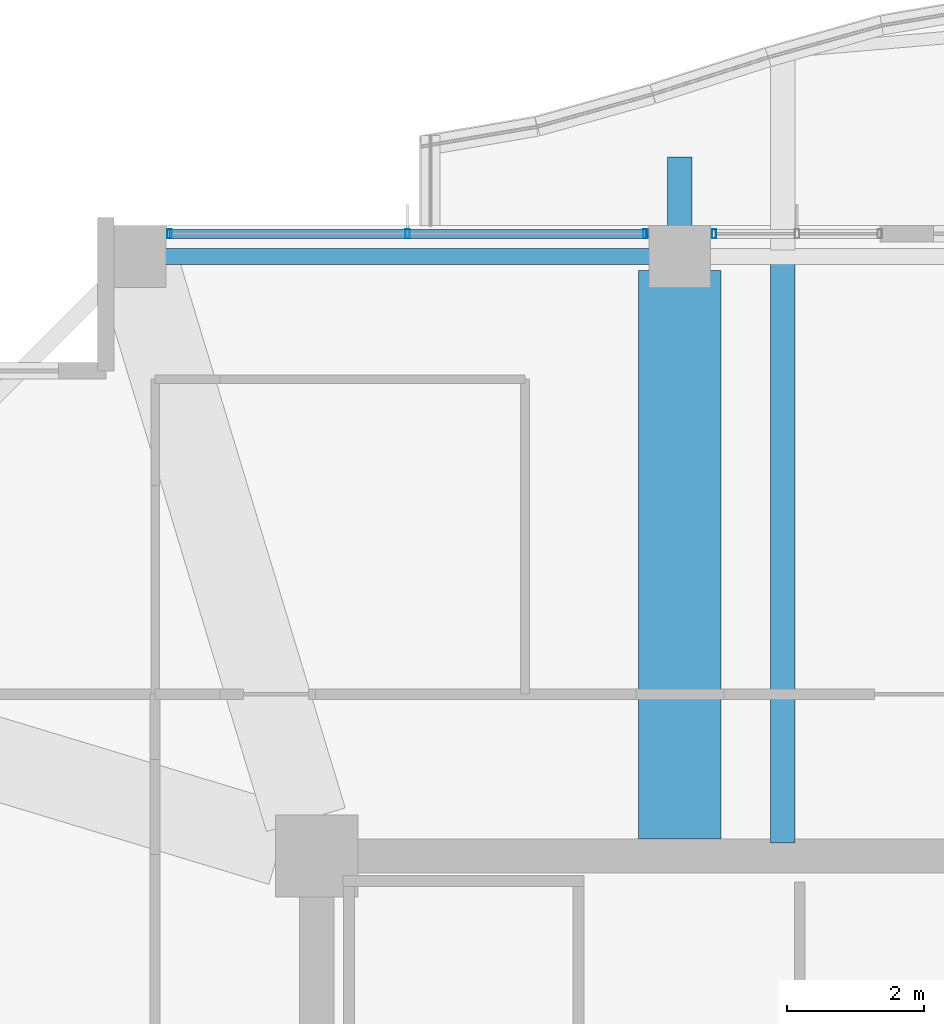
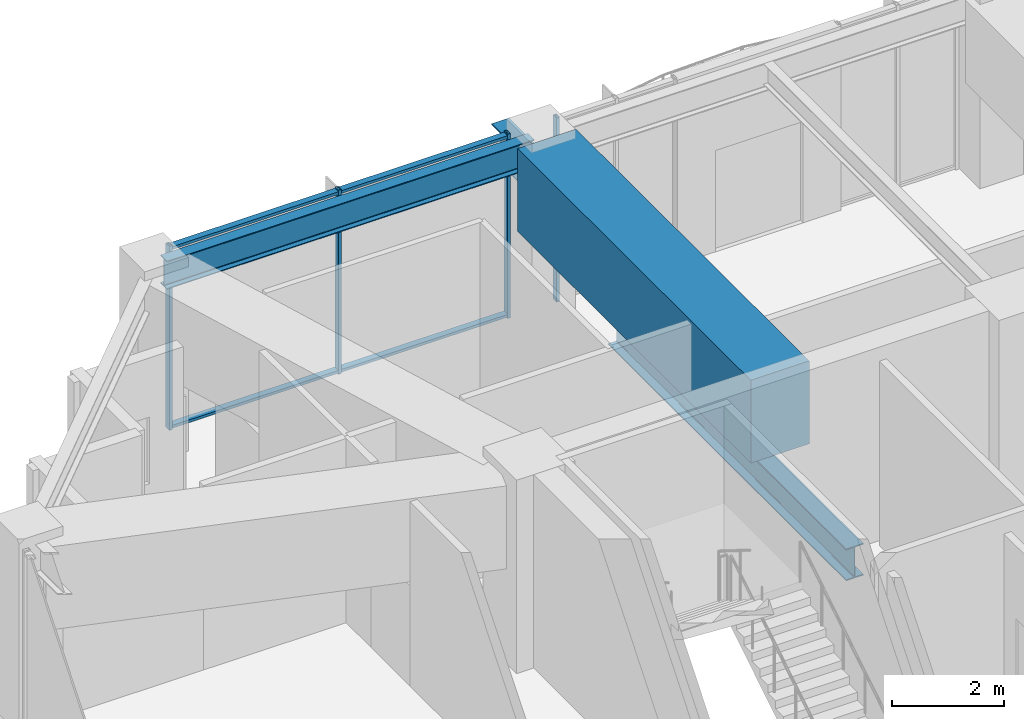
# One storey, part 16 of 33: 6 members, 4 beams, 2 elements without a shape of their own.
"""IFC4 building model written with IfcOpenShell, lengths in metres."""

from ifc_helpers import new_model, si_unit, direction, frame, origin, origin_2d, place, context, subcontext, project, spatial, rectangle, hollow_rectangle, i_section, extrude, material, material_profile, profile_set, type_object, element, aggregate, save


model = new_model("IFC4")

# Units and contexts
model_context = context("Model", 3, precision=1e-05, world=origin(), true_north=direction((0.0, 1.0)))
body_context = subcontext(model_context, "Body", "Model", "MODEL_VIEW")
ifc_project = project(units=[si_unit("LENGTHUNIT", "METRE"), si_unit("AREAUNIT", "SQUARE_METRE"), si_unit("VOLUMEUNIT", "CUBIC_METRE"), si_unit("PLANEANGLEUNIT", "RADIAN"), si_unit("MASSUNIT", "GRAM", prefix="KILO")], contexts=[model_context])

# Site, building, storey
site_placement = place(None, origin())
site = spatial("IfcSite", under=ifc_project, at=site_placement, CompositionType="ELEMENT")
building_placement = place(site_placement, origin())
building = spatial("IfcBuilding", under=site, at=building_placement, Name="Kolvaren Belvedere", CompositionType="ELEMENT")
storey_placement = place(building_placement, frame((0.0, 0.0, 152.699951171875)))
storey = spatial("IfcBuildingStorey", under=building, at=storey_placement, Name="L44", CompositionType="ELEMENT", Elevation=152.699951171875)

# Beams
ifc_material_1 = material(Name="Structural steel ASTM A992 Grade 50", Category="steel")
ifc_material_profile_1 = material_profile(ifc_material_1, i_section(OverallWidth=0.35498046875, OverallDepth=0.696044921875, WebThickness=0.015380859375, FlangeThickness=0.02490234375, FilletRadius=0.02197265625, at=origin_2d()), Name="W27X146")
ifc_profile_set_1 = profile_set([ifc_material_profile_1], Name="Structural steel ASTM A992 Grade 50")
beam_type_1 = type_object("IfcBeamType", Name="BM-CANT-BAL", PredefinedType="BEAM", material=ifc_profile_set_1)
beam_1_placement = place(storey_placement, frame((-4.60009765625, 18.64990234375, 3.0419921875), z_axis=(0.0, 1.0, 0.0), x_axis=(-1.0, 0.0, 0.0)))
element("IfcBeam", 1, at=beam_1_placement, inside=storey, type_object=beam_type_1, Name="L44 North Picture-Frame Column Corbel M", PredefinedType="BEAM", context=body_context, shape_type="SweptSolid", body=[
    extrude(i_section(OverallWidth=0.35498046875, OverallDepth=0.696044921875, WebThickness=0.015380859375, FlangeThickness=0.02490234375, FilletRadius=0.02197265625, at=origin_2d()), origin(), (0.0, 0.0, 1.0), 1.4501953125),
])
ifc_material_2 = material(Name="Structural steel ASTM A992 Grade 50", Category="steel")
ifc_material_profile_2 = material_profile(ifc_material_2, i_section(OverallWidth=0.35498046875, OverallDepth=0.696044921875, WebThickness=0.015380859375, FlangeThickness=0.02490234375, FilletRadius=0.02197265625, at=origin_2d()), Name="W27X146")
ifc_profile_set_2 = profile_set([ifc_material_profile_2], Name="Structural steel ASTM A992 Grade 50")
beam_type_2 = type_object("IfcBeamType", Name="BM-GIRD-W27X146", PredefinedType="BEAM", material=ifc_profile_set_2)
beam_2_placement = place(storey_placement, frame((-3.10009765625, 10.090087890625, -0.64794921875), z_axis=(0.0, 1.0, 0.0), x_axis=(-1.0, 0.0, 0.0)))
element("IfcBeam", 2, at=beam_2_placement, inside=storey, type_object=beam_type_2, Name="L44 Balcony Interior Back-Span Girder BAL-N-1", PredefinedType="BEAM", context=body_context, shape_type="SweptSolid", body=[
    extrude(i_section(OverallWidth=0.35498046875, OverallDepth=0.696044921875, WebThickness=0.015380859375, FlangeThickness=0.02490234375, FilletRadius=0.02197265625, at=origin_2d()), origin(), (0.0, 0.0, 1.0), 8.46484375),
])
ifc_material_3 = material(Name="Structural steel ASTM A992 Grade 50", Category="steel")
ifc_material_profile_3 = material_profile(ifc_material_3, i_section(OverallWidth=0.22900390625, OverallDepth=0.612060546875, WebThickness=0.011962890625, FlangeThickness=0.01953125, FilletRadius=0.01806640625, at=origin_2d()), Name="W24X84")
ifc_profile_set_3 = profile_set([ifc_material_profile_3], Name="Structural steel ASTM A992 Grade 50")
beam_type_3 = type_object("IfcBeamType", Name="BM-SPAN-W24X84", PredefinedType="SPANDREL", material=ifc_profile_set_3)
beam_3_placement = place(storey_placement, frame((-4.802490234375, 18.64990234375, 3.694091796875), z_axis=(-1.0, 0.0, 0.0), x_axis=(0.0, -1.0, 0.0)))
element("IfcBeam", 3, at=beam_3_placement, inside=storey, type_object=beam_type_3, Name="L44 Perimeter Spandrel N2-N1", PredefinedType="SPANDREL", context=body_context, shape_type="SweptSolid", body=[
    extrude(i_section(OverallWidth=0.22900390625, OverallDepth=0.612060546875, WebThickness=0.011962890625, FlangeThickness=0.01953125, FilletRadius=0.01806640625, at=origin_2d()), origin(), (0.0, 0.0, 1.0), 7.544921875),
])
ifc_material_4 = material(Name="Concrete C50/60", Category="concrete")
ifc_material_profile_4 = material_profile(ifc_material_4, rectangle(XDim=1.199951171875, YDim=1.800048828125, at=origin_2d()), Name="RC 1200X1800")
ifc_profile_set_4 = profile_set([ifc_material_profile_4], Name="Concrete C50/60")
beam_type_4 = type_object("IfcBeamType", Name="BM-TG-1800", PredefinedType="BEAM", material=ifc_profile_set_4)
beam_4_placement = place(storey_placement, frame((-4.60009765625, 10.14990234375, 3.10009765625), z_axis=(0.0, 1.0, 0.0), x_axis=(-1.0, 0.0, 0.0)))
element("IfcBeam", 4, at=beam_4_placement, inside=storey, type_object=beam_type_4, Name="L44 North Radial Girder M", PredefinedType="BEAM", context=body_context, shape_type="SweptSolid", body=[
    extrude(rectangle(XDim=1.199951171875, YDim=1.800048828125, at=origin_2d()), origin(), (0.0, 0.0, 1.0), 8.297607421875),
])

# Curtain wall, members
ifc_material_5 = material(Name="Anodised pale-metal aluminium AA 6063-T6", Category="aluminium")
curtain_wall_type = type_object("IfcCurtainWallType", Name="CW-Z3-WAIST", PredefinedType="NOTDEFINED", material=ifc_material_5)
curtain_wall_1_placement = place(storey_placement, origin())
curtain_wall_1 = element("IfcCurtainWall", 5, at=curtain_wall_1_placement, inside=storey, type_object=curtain_wall_type, Name="L44 Unitised Curtain Wall FCW-L44-N1-B1", PredefinedType="NOTDEFINED")
ifc_material_6 = material(Name="Anodised pale-metal aluminium AA 6063-T6", Category="aluminium")
ifc_material_profile_5 = material_profile(ifc_material_6, hollow_rectangle(XDim=0.06494140625, YDim=0.1298828125, WallThickness=0.00390625, at=origin_2d()), Name="ALU-MUL-130X65")
ifc_profile_set_5 = profile_set([ifc_material_profile_5], Name="Anodised pale-metal aluminium AA 6063-T6")
member_type_1 = type_object("IfcMemberType", Name="CW-MUL-130", PredefinedType="MULLION", material=ifc_profile_set_5)
member_1_placement = place(storey_placement, frame((-12.047607421875, 18.97998046875, 0.0), z_axis=(0.0, 0.0, 1.0), x_axis=(1.0, 0.0, 0.0)))
member_1 = element("IfcMember", 6, at=member_1_placement, type_object=member_type_1, Name="FCW-L44-N1-B1 Unitised Mullion 1", PredefinedType="MULLION", context=body_context, shape_type="SweptSolid", body=[
    extrude(hollow_rectangle(XDim=0.06494140625, YDim=0.1298828125, WallThickness=0.00390625, at=origin_2d()), origin(), (0.0, 0.0, 1.0), 4.0),
])
member_2_placement = place(storey_placement, frame((-8.574951171875, 18.97998046875, 0.0), z_axis=(0.0, 0.0, 1.0), x_axis=(1.0, 0.0, 0.0)))
member_2 = element("IfcMember", 7, at=member_2_placement, type_object=member_type_1, Name="FCW-L44-N1-B1 Unitised Mullion 2", PredefinedType="MULLION", context=body_context, shape_type="SweptSolid", body=[
    extrude(hollow_rectangle(XDim=0.06494140625, YDim=0.1298828125, WallThickness=0.00390625, at=origin_2d()), origin(), (0.0, 0.0, 1.0), 4.0),
])
member_3_placement = place(storey_placement, frame((-5.1025390625, 18.97998046875, 0.0), z_axis=(0.0, 0.0, 1.0), x_axis=(1.0, 0.0, 0.0)))
member_3 = element("IfcMember", 8, at=member_3_placement, type_object=member_type_1, Name="FCW-L44-N1-B1 Unitised Mullion 3", PredefinedType="MULLION", context=body_context, shape_type="SweptSolid", body=[
    extrude(hollow_rectangle(XDim=0.06494140625, YDim=0.1298828125, WallThickness=0.00390625, at=origin_2d()), origin(), (0.0, 0.0, 1.0), 4.0),
])

# Curtain wall, member
curtain_wall_2_placement = place(storey_placement, origin())
curtain_wall_2 = element("IfcCurtainWall", 9, at=curtain_wall_2_placement, inside=storey, type_object=curtain_wall_type, Name="L44 Unitised Curtain Wall FCW-L44-N1-B2", PredefinedType="NOTDEFINED")
member_4_placement = place(storey_placement, frame((-4.097412109375, 18.97998046875, 0.0), z_axis=(0.0, 0.0, 1.0), x_axis=(1.0, 0.0, 0.0)))
member_4 = element("IfcMember", 10, at=member_4_placement, type_object=member_type_1, Name="FCW-L44-N1-B2 Unitised Mullion 1", PredefinedType="MULLION", context=body_context, shape_type="SweptSolid", body=[
    extrude(hollow_rectangle(XDim=0.06494140625, YDim=0.1298828125, WallThickness=0.00390625, at=origin_2d()), origin(), (0.0, 0.0, 1.0), 4.0),
])
aggregate(curtain_wall_2, [member_4])

# Member
ifc_material_7 = material(Name="Anodised pale-metal aluminium AA 6063-T6", Category="aluminium")
ifc_material_profile_6 = material_profile(ifc_material_7, hollow_rectangle(XDim=0.06005859375, YDim=0.1298828125, WallThickness=0.00390625, at=origin_2d()), Name="ALU-TRN-130X60")
ifc_profile_set_6 = profile_set([ifc_material_profile_6], Name="Anodised pale-metal aluminium AA 6063-T6")
member_type_2 = type_object("IfcMemberType", Name="CW-TRN-130", PredefinedType="USERDEFINED", material=ifc_profile_set_6)
member_5_placement = place(storey_placement, frame((-12.047607421875, 18.97998046875, 0.06005859375), z_axis=(1.0, 0.0, 0.0), x_axis=(0.0, 0.0, 1.0)))
member_5 = element("IfcMember", 11, at=member_5_placement, type_object=member_type_2, Name="FCW-L44-N1-B1 Sill Transom", ObjectType="TRANSOM", PredefinedType="USERDEFINED", context=body_context, shape_type="SweptSolid", body=[
    extrude(hollow_rectangle(XDim=0.06005859375, YDim=0.1298828125, WallThickness=0.00390625, at=origin_2d()), origin(), (0.0, 0.0, 1.0), 6.945068359375),
])

member_6_placement = place(storey_placement, frame((-12.047607421875, 18.97998046875, 3.93994140625), z_axis=(1.0, 0.0, 0.0), x_axis=(0.0, 0.0, 1.0)))
member_6 = element("IfcMember", 12, at=member_6_placement, type_object=member_type_2, Name="FCW-L44-N1-B1 Head Transom", ObjectType="TRANSOM", PredefinedType="USERDEFINED", context=body_context, shape_type="SweptSolid", body=[
    extrude(hollow_rectangle(XDim=0.06005859375, YDim=0.1298828125, WallThickness=0.00390625, at=origin_2d()), origin(), (0.0, 0.0, 1.0), 6.945068359375),
])

aggregate(curtain_wall_1, [member_1, member_2, member_3, member_5, member_6])

save(model, "model.ifc")
